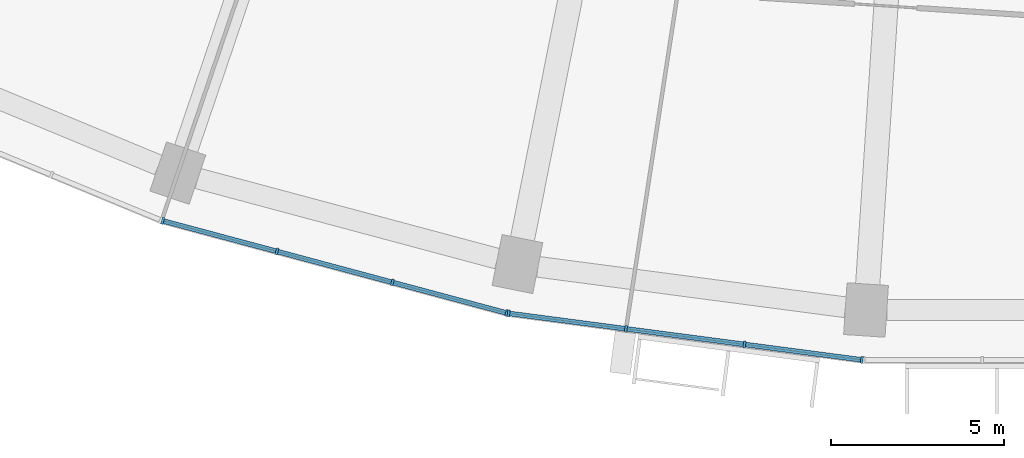
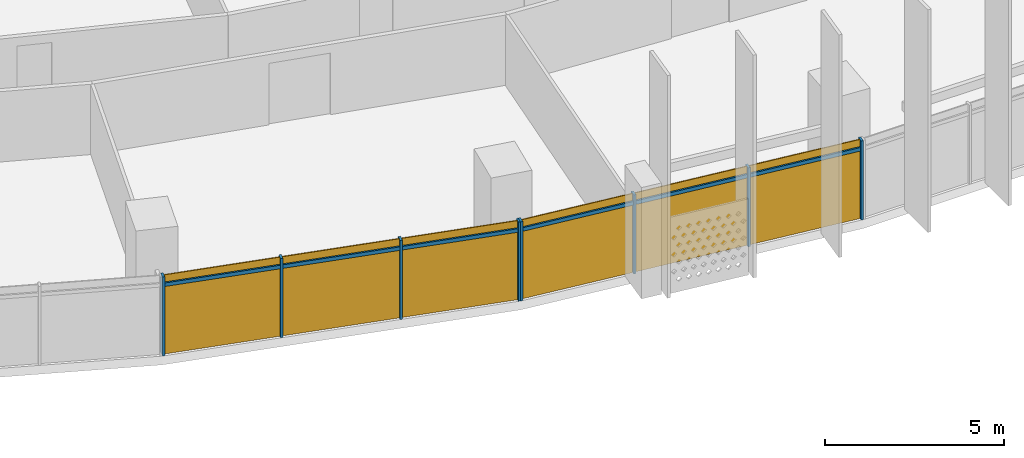
# One storey, part 19 of 30: 14 members, 2 curtain walls.
"""IFC4 building model written with IfcOpenShell, lengths in metres."""

from ifc_helpers import new_model, si_unit, direction, frame, origin, origin_2d, place, context, subcontext, project, spatial, rectangle, extrude, material, material_profile, profile_set, type_object, element, aggregate, save


model = new_model("IFC4")

# Units and contexts
model_context = context("Model", 3, precision=1e-05, world=origin(), true_north=direction((0.0, 1.0)))
body_context = subcontext(model_context, "Body", "Model", "MODEL_VIEW")
ifc_project = project(units=[si_unit("LENGTHUNIT", "METRE"), si_unit("AREAUNIT", "SQUARE_METRE"), si_unit("VOLUMEUNIT", "CUBIC_METRE"), si_unit("PLANEANGLEUNIT", "RADIAN"), si_unit("MASSUNIT", "GRAM", prefix="KILO")], contexts=[model_context])

# Member
ifc_material = material(Name="Aluminium 6063-T6 anodised", Category="aluminium")
ifc_material_profile_1 = material_profile(ifc_material, rectangle(XDim=0.199951171875, YDim=0.070068359375, at=origin_2d()))
ifc_profile_set_1 = profile_set([ifc_material_profile_1], Name="Aluminium 6063-T6 anodised")
member_type_1 = type_object("IfcMemberType", Name="Mullion 70 x 200 aluminium", PredefinedType="MULLION", material=ifc_profile_set_1)
site_placement = place(None, origin())
building_placement = place(site_placement, origin())
storey_placement = place(building_placement, frame((0.0, 0.0, 102.5)))
member_1_placement = place(storey_placement, frame((-25.430419921875, -75.00390625, 0.0), z_axis=(0.0, 0.0, 1.0), x_axis=(0.258819045103, 0.965925826289, 0.0)))
member_1 = element("IfcMember", 1, at=member_1_placement, type_object=member_type_1, Name="e-cw1-L22-out07/M00", PredefinedType="MULLION", context=body_context, shape_type="SweptSolid", body=[
    extrude(rectangle(XDim=0.199951171875, YDim=0.070068359375, at=origin_2d()), origin(), (0.0, 0.0, 1.0), 2.699951171875),
])

member_2_placement = place(storey_placement, frame((-22.12451171875, -75.889892578125, 0.0), z_axis=(0.0, 0.0, 1.0), x_axis=(0.258819045103, 0.965925826289, 0.0)))
member_2 = element("IfcMember", 2, at=member_2_placement, type_object=member_type_1, Name="e-cw1-L22-out07/M01", PredefinedType="MULLION", context=body_context, shape_type="SweptSolid", body=[
    extrude(rectangle(XDim=0.199951171875, YDim=0.070068359375, at=origin_2d()), origin(), (0.0, 0.0, 1.0), 2.699951171875),
])

member_3_placement = place(storey_placement, frame((-18.78466796875, -76.78466796875, 0.0), z_axis=(0.0, 0.0, 1.0), x_axis=(0.258819045103, 0.965925826289, 0.0)))
member_3 = element("IfcMember", 3, at=member_3_placement, type_object=member_type_1, Name="e-cw1-L22-out07/M02", PredefinedType="MULLION", context=body_context, shape_type="SweptSolid", body=[
    extrude(rectangle(XDim=0.199951171875, YDim=0.070068359375, at=origin_2d()), origin(), (0.0, 0.0, 1.0), 2.699951171875),
])

member_4_placement = place(storey_placement, frame((-15.478515625, -77.670654296875, 0.0), z_axis=(0.0, 0.0, 1.0), x_axis=(0.258819045103, 0.965925826289, 0.0)))
member_4 = element("IfcMember", 4, at=member_4_placement, type_object=member_type_1, Name="e-cw1-L22-out07/M03", PredefinedType="MULLION", context=body_context, shape_type="SweptSolid", body=[
    extrude(rectangle(XDim=0.199951171875, YDim=0.070068359375, at=origin_2d()), origin(), (0.0, 0.0, 1.0), 2.699951171875),
])

member_5_placement = place(storey_placement, frame((-15.4228515625, -77.681640625, 0.0), z_axis=(0.0, 0.0, 1.0), x_axis=(0.13052619222, 0.991444861374, 0.0)))
member_5 = element("IfcMember", 5, at=member_5_placement, type_object=member_type_1, Name="e-cw1-L22-out08/M00", PredefinedType="MULLION", context=body_context, shape_type="SweptSolid", body=[
    extrude(rectangle(XDim=0.199951171875, YDim=0.070068359375, at=origin_2d()), origin(), (0.0, 0.0, 1.0), 2.699951171875),
])

member_6_placement = place(storey_placement, frame((-12.029541015625, -78.12841796875, 0.0), z_axis=(0.0, 0.0, 1.0), x_axis=(0.13052619222, 0.991444861374, 0.0)))
member_6 = element("IfcMember", 6, at=member_6_placement, type_object=member_type_1, Name="e-cw1-L22-out08/M01", PredefinedType="MULLION", context=body_context, shape_type="SweptSolid", body=[
    extrude(rectangle(XDim=0.199951171875, YDim=0.070068359375, at=origin_2d()), origin(), (0.0, 0.0, 1.0), 2.699951171875),
])

member_7_placement = place(storey_placement, frame((-8.6015625, -78.579833984375, 0.0), z_axis=(0.0, 0.0, 1.0), x_axis=(0.13052619222, 0.991444861374, 0.0)))
member_7 = element("IfcMember", 7, at=member_7_placement, type_object=member_type_1, Name="e-cw1-L22-out08/M02", PredefinedType="MULLION", context=body_context, shape_type="SweptSolid", body=[
    extrude(rectangle(XDim=0.199951171875, YDim=0.070068359375, at=origin_2d()), origin(), (0.0, 0.0, 1.0), 2.699951171875),
])

member_8_placement = place(storey_placement, frame((-5.2080078125, -79.026611328125, 0.0), z_axis=(0.0, 0.0, 1.0), x_axis=(0.13052619222, 0.991444861374, 0.0)))
member_8 = element("IfcMember", 8, at=member_8_placement, type_object=member_type_1, Name="e-cw1-L22-out08/M03", PredefinedType="MULLION", context=body_context, shape_type="SweptSolid", body=[
    extrude(rectangle(XDim=0.199951171875, YDim=0.070068359375, at=origin_2d()), origin(), (0.0, 0.0, 1.0), 2.699951171875),
])

ifc_material_profile_2 = material_profile(ifc_material, rectangle(XDim=0.139892578125, YDim=0.1201171875, at=origin_2d()))
ifc_profile_set_2 = profile_set([ifc_material_profile_2], Name="Aluminium 6063-T6 anodised")
member_type_2 = type_object("IfcMemberType", Name="Transom 120 x 140 aluminium", PredefinedType="USERDEFINED", material=ifc_profile_set_2)
member_9_placement = place(storey_placement, frame((-25.396728515625, -75.01318359375, 2.39990234375), z_axis=(0.965932125453, -0.258795535157, 0.0), x_axis=(0.258795535157, 0.965932125453, 0.0)))
member_9 = element("IfcMember", 9, at=member_9_placement, type_object=member_type_2, Name="e-cw1-L22-out07/T00", ObjectType="TRANSOM", PredefinedType="USERDEFINED", context=body_context, shape_type="SweptSolid", body=[
    extrude(rectangle(XDim=0.139892578125, YDim=0.1201171875, at=origin_2d()), origin(), (0.0, 0.0, 1.0), 3.352783203125),
])

member_10_placement = place(storey_placement, frame((-22.090576171875, -75.89892578125, 2.39990234375), z_axis=(0.965931646033, -0.258797324547, 0.0), x_axis=(0.258797324547, 0.965931646033, 0.0)))
member_10 = element("IfcMember", 10, at=member_10_placement, type_object=member_type_2, Name="e-cw1-L22-out07/T01", ObjectType="TRANSOM", PredefinedType="USERDEFINED", context=body_context, shape_type="SweptSolid", body=[
    extrude(rectangle(XDim=0.139892578125, YDim=0.1201171875, at=origin_2d()), origin(), (0.0, 0.0, 1.0), 3.3876953125),
])

member_11_placement = place(storey_placement, frame((-18.750732421875, -76.7939453125, 2.39990234375), z_axis=(0.965927247937, -0.258813739382, 0.0), x_axis=(0.258813739382, 0.965927247937, 0.0)))
member_11 = element("IfcMember", 11, at=member_11_placement, type_object=member_type_2, Name="e-cw1-L22-out07/T02", ObjectType="TRANSOM", PredefinedType="USERDEFINED", context=body_context, shape_type="SweptSolid", body=[
    extrude(rectangle(XDim=0.139892578125, YDim=0.1201171875, at=origin_2d()), origin(), (0.0, 0.0, 1.0), 3.3525390625),
])

member_12_placement = place(storey_placement, frame((-15.38818359375, -77.686279296875, 2.39990234375), z_axis=(0.991449089759, -0.130494070426, 0.0), x_axis=(0.130494070426, 0.991449089759, 0.0)))
member_12 = element("IfcMember", 12, at=member_12_placement, type_object=member_type_2, Name="e-cw1-L22-out08/T00", ObjectType="TRANSOM", PredefinedType="USERDEFINED", context=body_context, shape_type="SweptSolid", body=[
    extrude(rectangle(XDim=0.139892578125, YDim=0.1201171875, at=origin_2d()), origin(), (0.0, 0.0, 1.0), 3.3525390625),
])

member_13_placement = place(storey_placement, frame((-11.994873046875, -78.133056640625, 2.39990234375), z_axis=(0.991446198807, -0.130516033004, 0.0), x_axis=(0.130516033004, 0.991446198807, 0.0)))
member_13 = element("IfcMember", 13, at=member_13_placement, type_object=member_type_2, Name="e-cw1-L22-out08/T01", ObjectType="TRANSOM", PredefinedType="USERDEFINED", context=body_context, shape_type="SweptSolid", body=[
    extrude(rectangle(XDim=0.139892578125, YDim=0.1201171875, at=origin_2d()), origin(), (0.0, 0.0, 1.0), 3.3876953125),
])

member_14_placement = place(storey_placement, frame((-8.56689453125, -78.584228515625, 2.39990234375), z_axis=(0.991439665896, -0.130565649721, 0.0), x_axis=(0.130565649721, 0.991439665896, 0.0)))
member_14 = element("IfcMember", 14, at=member_14_placement, type_object=member_type_2, Name="e-cw1-L22-out08/T02", ObjectType="TRANSOM", PredefinedType="USERDEFINED", context=body_context, shape_type="SweptSolid", body=[
    extrude(rectangle(XDim=0.139892578125, YDim=0.1201171875, at=origin_2d()), origin(), (0.0, 0.0, 1.0), 3.352783203125),
])

# Site, building, storey
site = spatial("IfcSite", under=ifc_project, at=site_placement, CompositionType="ELEMENT")
building = spatial("IfcBuilding", under=site, at=building_placement, Name="Qamariyya Broadcast Tower", CompositionType="ELEMENT")
storey = spatial("IfcBuildingStorey", under=building, at=storey_placement, Name="L22", CompositionType="ELEMENT", Elevation=102.5)

# Curtain wall
curtain_wall_type = type_object("IfcCurtainWallType", Name="Unitised curtain wall, anodised aluminium", PredefinedType="NOTDEFINED", material=ifc_material)
curtain_wall_1_placement = place(storey_placement, origin())
curtain_wall_1 = element("IfcCurtainWall", 15, at=curtain_wall_1_placement, inside=storey, type_object=curtain_wall_type, Name="e-cw1-L22-out07", PredefinedType="NOTDEFINED", context=body_context, shape_type="SweptSolid", body=[
    extrude(rectangle(XDim=3.352783203125, YDim=0.031982421875, at=origin_2d()), frame((-23.777587890625, -75.44677734375, 0.0), x_axis=(0.965923677743, -0.258827063454, 0.0)), (0.0, 0.0, 1.0), 2.340087890625),
    extrude(rectangle(XDim=3.352783203125, YDim=0.031982421875, at=origin_2d()), frame((-23.777587890625, -75.44677734375, 2.4599609375), x_axis=(0.965923677743, -0.258827063454, 0.0)), (0.0, 0.0, 1.0), 0.239990234375),
    extrude(rectangle(XDim=3.3876953125, YDim=0.031982421875, at=origin_2d()), frame((-20.45458984375, -76.33740234375, 0.0), x_axis=(0.965923677743, -0.258827063454, 0.0)), (0.0, 0.0, 1.0), 2.340087890625),
    extrude(rectangle(XDim=3.3876953125, YDim=0.031982421875, at=origin_2d()), frame((-20.45458984375, -76.33740234375, 2.4599609375), x_axis=(0.965923677743, -0.258827063454, 0.0)), (0.0, 0.0, 1.0), 0.239990234375),
    extrude(rectangle(XDim=3.352783203125, YDim=0.031982421875, at=origin_2d()), frame((-17.131591796875, -77.227783203125, 0.0), x_axis=(0.965923677743, -0.258827063454, 0.0)), (0.0, 0.0, 1.0), 2.340087890625),
    extrude(rectangle(XDim=3.352783203125, YDim=0.031982421875, at=origin_2d()), frame((-17.131591796875, -77.227783203125, 2.4599609375), x_axis=(0.965923677743, -0.258827063454, 0.0)), (0.0, 0.0, 1.0), 0.239990234375),
])

aggregate(curtain_wall_1, [member_1, member_2, member_3, member_4, member_9, member_10, member_11])

curtain_wall_2_placement = place(storey_placement, origin())
curtain_wall_2 = element("IfcCurtainWall", 16, at=curtain_wall_2_placement, inside=storey, type_object=curtain_wall_type, Name="e-cw1-L22-out08", PredefinedType="NOTDEFINED", context=body_context, shape_type="SweptSolid", body=[
    extrude(rectangle(XDim=3.3525390625, YDim=0.031982421875, at=origin_2d()), frame((-13.72607421875, -77.9052734375, 0.0), x_axis=(0.991447084105, -0.13050930779, 0.0)), (0.0, 0.0, 1.0), 2.340087890625),
    extrude(rectangle(XDim=3.3525390625, YDim=0.031982421875, at=origin_2d()), frame((-13.72607421875, -77.9052734375, 2.4599609375), x_axis=(0.991447084105, -0.13050930779, 0.0)), (0.0, 0.0, 1.0), 0.239990234375),
    extrude(rectangle(XDim=3.3876953125, YDim=0.031982421875, at=origin_2d()), frame((-10.3154296875, -78.35400390625, 0.0), x_axis=(0.991447084105, -0.13050930779, 0.0)), (0.0, 0.0, 1.0), 2.340087890625),
    extrude(rectangle(XDim=3.3876953125, YDim=0.031982421875, at=origin_2d()), frame((-10.3154296875, -78.35400390625, 2.4599609375), x_axis=(0.991447084105, -0.13050930779, 0.0)), (0.0, 0.0, 1.0), 0.239990234375),
    extrude(rectangle(XDim=3.3525390625, YDim=0.031982421875, at=origin_2d()), frame((-6.90478515625, -78.802978515625, 0.0), x_axis=(0.991447084105, -0.13050930779, 0.0)), (0.0, 0.0, 1.0), 2.340087890625),
    extrude(rectangle(XDim=3.3525390625, YDim=0.031982421875, at=origin_2d()), frame((-6.90478515625, -78.802978515625, 2.4599609375), x_axis=(0.991447084105, -0.13050930779, 0.0)), (0.0, 0.0, 1.0), 0.239990234375),
])

aggregate(curtain_wall_2, [member_5, member_6, member_7, member_8, member_12, member_13, member_14])

save(model, "model.ifc")
